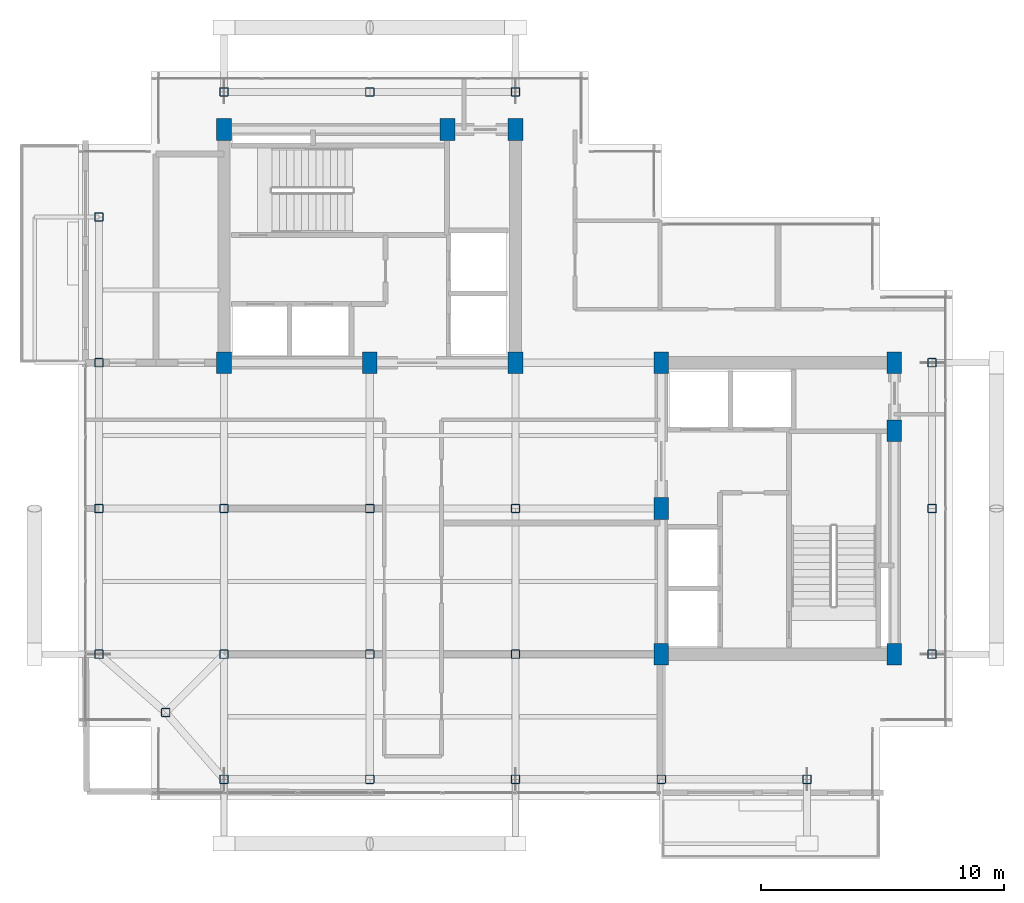
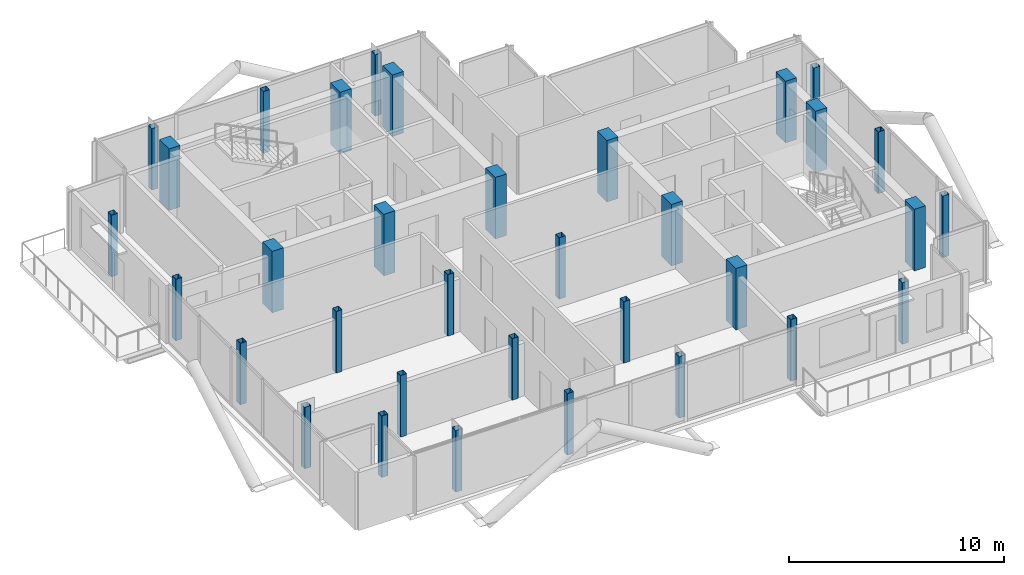
# One storey, part 1 of 19: 34 columns.
"""IFC4 building model written with IfcOpenShell, lengths in metres."""

from ifc_helpers import new_model, si_unit, direction, frame, origin, origin_2d, place, context, subcontext, project, spatial, rectangle, hollow_rectangle, extrude, material, material_profile, profile_set, type_object, element, save


model = new_model("IFC4")

# Units and contexts
model_context = context("Model", 3, precision=1e-05, world=origin(), true_north=direction((0.0, 1.0)))
body_context = subcontext(model_context, "Body", "Model", "MODEL_VIEW")
ifc_project = project(units=[si_unit("LENGTHUNIT", "METRE"), si_unit("AREAUNIT", "SQUARE_METRE"), si_unit("VOLUMEUNIT", "CUBIC_METRE"), si_unit("PLANEANGLEUNIT", "RADIAN"), si_unit("MASSUNIT", "GRAM", prefix="KILO"), si_unit("THERMODYNAMICTEMPERATUREUNIT", "KELVIN"), si_unit("POWERUNIT", "WATT")], contexts=[model_context])

# Site, building, storey
site_placement = place(None, origin())
site = spatial("IfcSite", under=ifc_project, at=site_placement, CompositionType="ELEMENT")
building_placement = place(site_placement, origin())
building = spatial("IfcBuilding", under=site, at=building_placement, Name="Svarakhadi Broadcast Tower", CompositionType="ELEMENT")
storey_placement = place(building_placement, frame((0.0, 0.0, 285.199951171875)))
storey = spatial("IfcBuildingStorey", under=building, at=storey_placement, Name="L72", CompositionType="ELEMENT", Elevation=285.199951171875)

# Columns
ifc_material_1 = material(Name="Concrete C50/60 (IS 456 M60)", Category="concrete")
ifc_material_profile_1 = material_profile(ifc_material_1, rectangle(XDim=0.60009765625, YDim=0.89990234375, at=origin_2d()), Name="RC 600x900")
ifc_profile_set_1 = profile_set([ifc_material_profile_1], Name="Concrete C50/60 (IS 456 M60)")
column_type_1 = type_object("IfcColumnType", Name="Col_RC600", PredefinedType="COLUMN", material=ifc_profile_set_1)
for number, where, z_axis, x_axis, name in (
    (1, (6.0, 18.0, 0.0), (0.0, 0.0, 1.0), (1.0, 0.0, 0.0), "L72 Column CW1"),
    (2, (12.0, 18.0, 0.0), (0.0, 0.0, 1.0), (1.0, 0.0, 0.0), "L72 Column CW2"),
    (3, (18.0, 18.0, 0.0), (0.0, 0.0, 1.0), (1.0, 0.0, 0.0), "L72 Column CW3"),
    (4, (6.0, 27.60009765625, 0.0), (0.0, 0.0, 1.0), (1.0, 0.0, 0.0), "L72 Column CW4"),
    (5, (15.199951171875, 27.60009765625, 0.0), (0.0, 0.0, 1.0), (1.0, 0.0, 0.0), "L72 Column CW5"),
    (6, (18.0, 27.60009765625, 0.0), (0.0, 0.0, 1.0), (1.0, 0.0, 0.0), "L72 Column CW6"),
    (7, (24.0, 6.0, 0.0), (0.0, 0.0, 1.0), (1.0, 0.0, 0.0), "L72 Column CE1"),
    (8, (24.0, 12.0, 0.0), (0.0, 0.0, 1.0), (1.0, 0.0, 0.0), "L72 Column CE2"),
    (9, (24.0, 18.0, 0.0), (0.0, 0.0, 1.0), (1.0, 0.0, 0.0), "L72 Column CE3"),
    (10, (33.60009765625, 6.0, 0.0), (0.0, 0.0, 1.0), (1.0, 0.0, 0.0), "L72 Column CE4"),
    (11, (33.60009765625, 15.199951171875, 0.0), (0.0, 0.0, 1.0), (1.0, 0.0, 0.0), "L72 Column CE5"),
    (12, (33.60009765625, 18.0, 0.0), (0.0, 0.0, 1.0), (1.0, 0.0, 0.0), "L72 Column CE6"),
):
    element("IfcColumn", number, at=place(storey_placement, frame(where, z_axis=z_axis, x_axis=x_axis)), inside=storey, type_object=column_type_1, Name=name, PredefinedType="COLUMN", context=body_context, shape_type="SweptSolid", body=[
        extrude(rectangle(XDim=0.60009765625, YDim=0.89990234375, at=origin_2d()), origin(), (0.0, 0.0, 1.0), 3.5),
    ])
ifc_material_2 = material(Name="Steel S460ML (IS 2062 E450BR)", Category="steel")
ifc_material_profile_2 = material_profile(ifc_material_2, hollow_rectangle(XDim=0.35009765625, YDim=0.35009765625, WallThickness=0.01611328125, InnerFilletRadius=0.01611328125, OuterFilletRadius=0.031982421875, at=origin_2d()), Name="SHS 350x350x16")
ifc_profile_set_2 = profile_set([ifc_material_profile_2], Name="Steel S460ML (IS 2062 E450BR)")
column_type_2 = type_object("IfcColumnType", Name="Col_SHS350", PredefinedType="COLUMN", material=ifc_profile_set_2)
for number, where, z_axis, x_axis, name in (
    (13, (3.60009765625, 3.60009765625, 0.0), (0.0, 0.0, 1.0), (1.0, 0.0, 0.0), "L72 Column G01"),
    (14, (0.85009765625, 6.0, 0.0), (0.0, 0.0, 1.0), (1.0, 0.0, 0.0), "L72 Column G03"),
    (15, (0.85009765625, 12.0, 0.0), (0.0, 0.0, 1.0), (1.0, 0.0, 0.0), "L72 Column G04"),
    (16, (0.85009765625, 18.0, 0.0), (0.0, 0.0, 1.0), (1.0, 0.0, 0.0), "L72 Column G05"),
    (17, (0.85009765625, 24.0, 0.0), (0.0, 0.0, 1.0), (1.0, 0.0, 0.0), "L72 Column G06"),
    (18, (6.0, 0.85009765625, 0.0), (0.0, 0.0, 1.0), (1.0, 0.0, 0.0), "L72 Column G11"),
    (19, (6.0, 6.0, 0.0), (0.0, 0.0, 1.0), (1.0, 0.0, 0.0), "L72 Column G12"),
    (20, (6.0, 12.0, 0.0), (0.0, 0.0, 1.0), (1.0, 0.0, 0.0), "L72 Column G13"),
    (21, (6.0, 29.14990234375, 0.0), (0.0, 0.0, 1.0), (1.0, 0.0, 0.0), "L72 Column G14"),
    (22, (12.0, 0.85009765625, 0.0), (0.0, 0.0, 1.0), (1.0, 0.0, 0.0), "L72 Column G18"),
    (23, (12.0, 6.0, 0.0), (0.0, 0.0, 1.0), (1.0, 0.0, 0.0), "L72 Column G19"),
    (24, (12.0, 12.0, 0.0), (0.0, 0.0, 1.0), (1.0, 0.0, 0.0), "L72 Column G20"),
    (25, (12.0, 29.14990234375, 0.0), (0.0, 0.0, 1.0), (1.0, 0.0, 0.0), "L72 Column G21"),
    (26, (18.0, 0.85009765625, 0.0), (0.0, 0.0, 1.0), (1.0, 0.0, 0.0), "L72 Column G25"),
    (27, (18.0, 6.0, 0.0), (0.0, 0.0, 1.0), (1.0, 0.0, 0.0), "L72 Column G26"),
    (28, (18.0, 12.0, 0.0), (0.0, 0.0, 1.0), (1.0, 0.0, 0.0), "L72 Column G27"),
    (29, (18.0, 29.14990234375, 0.0), (0.0, 0.0, 1.0), (1.0, 0.0, 0.0), "L72 Column G28"),
    (30, (24.0, 0.85009765625, 0.0), (0.0, 0.0, 1.0), (1.0, 0.0, 0.0), "L72 Column G32"),
    (31, (30.0, 0.85009765625, 0.0), (0.0, 0.0, 1.0), (1.0, 0.0, 0.0), "L72 Column G36"),
    (32, (35.14990234375, 6.0, 0.0), (0.0, 0.0, 1.0), (1.0, 0.0, 0.0), "L72 Column G39"),
    (33, (35.14990234375, 12.0, 0.0), (0.0, 0.0, 1.0), (1.0, 0.0, 0.0), "L72 Column G40"),
    (34, (35.14990234375, 18.0, 0.0), (0.0, 0.0, 1.0), (1.0, 0.0, 0.0), "L72 Column G41"),
):
    element("IfcColumn", number, at=place(storey_placement, frame(where, z_axis=z_axis, x_axis=x_axis)), inside=storey, type_object=column_type_2, Name=name, PredefinedType="COLUMN", context=body_context, shape_type="SweptSolid", body=[
        extrude(hollow_rectangle(XDim=0.35009765625, YDim=0.35009765625, WallThickness=0.01611328125, InnerFilletRadius=0.01611328125, OuterFilletRadius=0.031982421875, at=origin_2d()), origin(), (0.0, 0.0, 1.0), 3.5),
    ])

save(model, "model.ifc")
